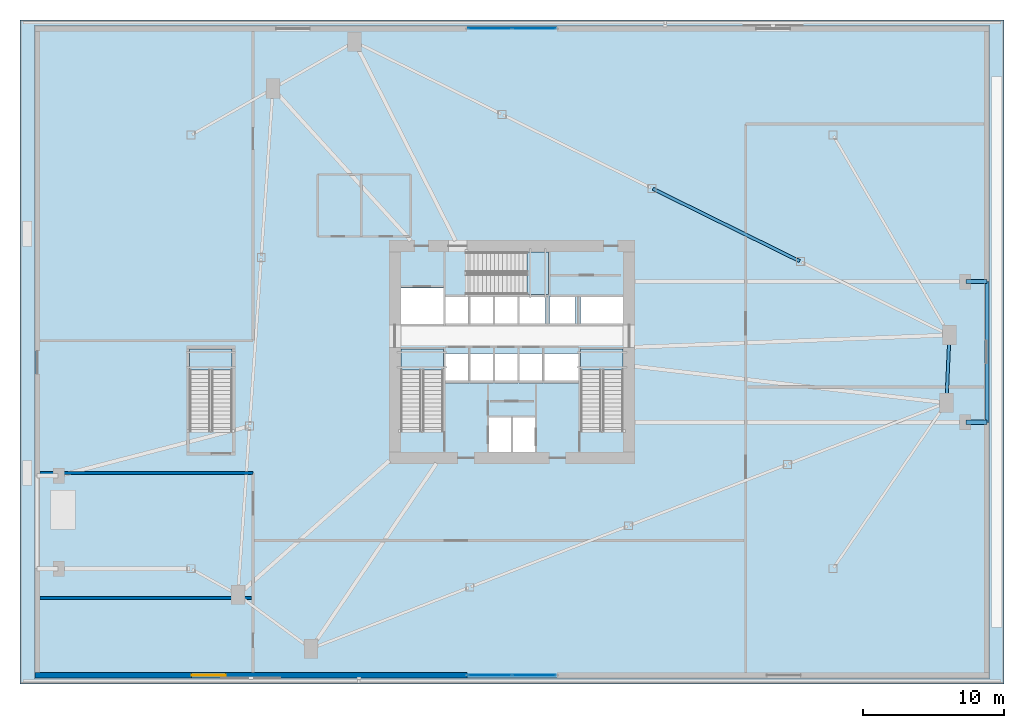
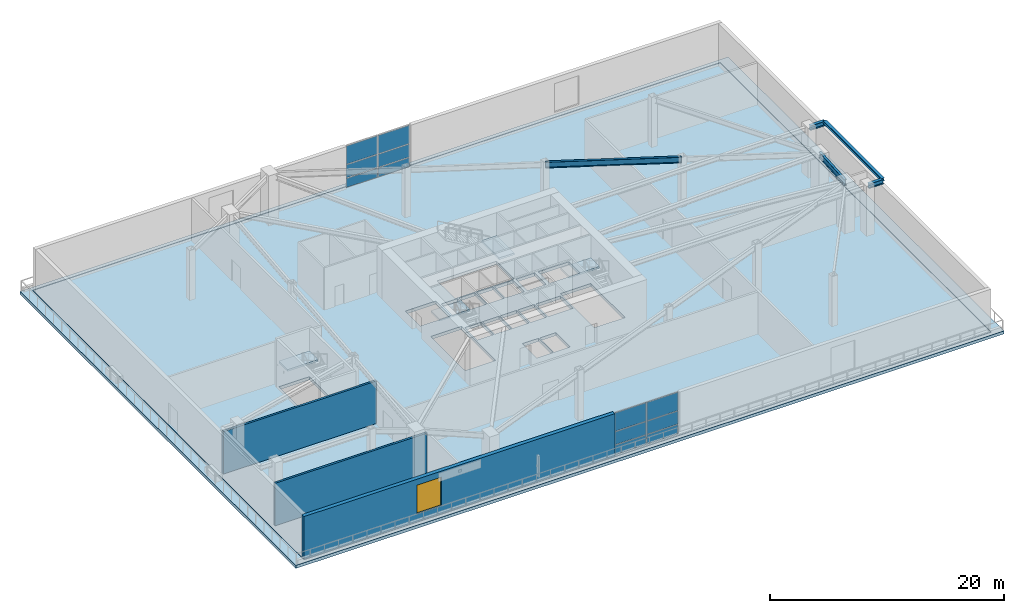
# One storey, part 7 of 15: 12 plates, 6 slabs, 5 beams, 3 walls, 1 window, 1 opening, 6 elements without a shape of their own.
"""IFC4 building model written with IfcOpenShell, lengths in metres."""

from ifc_helpers import new_model, si_unit, direction, frame, frame_2d, origin, origin_2d, place, context, subcontext, project, spatial, polyline, rectangle, i_section, outline, extrude, source, transform, mapped, material, layer, layer_set, material_profile, profile_set, type_object, type_shapes, element, fill, aggregate, save


model = new_model("IFC4")

# Units and contexts
model_context = context("Model", 3, precision=1e-05, world=origin(), true_north=direction((0.0, 1.0)))
body_context = subcontext(model_context, "Body", "Model", "MODEL_VIEW")
ifc_project = project(units=[si_unit("LENGTHUNIT", "METRE"), si_unit("AREAUNIT", "SQUARE_METRE"), si_unit("VOLUMEUNIT", "CUBIC_METRE"), si_unit("PLANEANGLEUNIT", "RADIAN"), si_unit("MASSUNIT", "GRAM", prefix="KILO")], contexts=[model_context])

# Site, building, storey
site_placement = place(None, origin())
site = spatial("IfcSite", under=ifc_project, at=site_placement, CompositionType="ELEMENT")
building_placement = place(site_placement, origin())
building = spatial("IfcBuilding", under=site, at=building_placement, Name="Olszyna Solenne Hotel", CompositionType="ELEMENT")
storey_placement = place(building_placement, frame((0.0, 0.0, 10.199951171875)))
storey = spatial("IfcBuildingStorey", under=building, at=storey_placement, Name="L02", CompositionType="ELEMENT", Elevation=10.199951171875)

# Beams
ifc_material_1 = material(Name="Steel S355J2", Category="steel")
ifc_material_profile_1 = material_profile(ifc_material_1, i_section(OverallWidth=0.300048828125, OverallDepth=0.31005859375, WebThickness=0.009033203125, FlangeThickness=0.015380859375, at=origin_2d()), Name="HEA 320", Category="load-bearing")
ifc_profile_set_1 = profile_set([ifc_material_profile_1], Name="Steel S355J2")
beam_type_1 = type_object("IfcBeamType", Name="BM-G3", PredefinedType="BEAM", material=ifc_profile_set_1)
shared_shape_1 = source(origin(), body_context, "Body", "SweptSolid", [
    extrude(i_section(OverallWidth=0.300048828125, OverallDepth=0.31005859375, WebThickness=0.009033203125, FlangeThickness=0.015380859375, at=origin_2d()), origin(), (0.0, 0.0, 1.0), 10.0),
])
beam_1_placement = place(storey_placement, frame((71.75, 21.60009765625, 4.925048828125), z_axis=(0.0, 1.0, 0.0), x_axis=(-1.0, 0.0, 0.0)))
element("IfcBeam", 1, at=beam_1_placement, inside=storey, type_object=beam_type_1, Name="Terrace East rim beam BM-G3 B-L02-0110", PredefinedType="BEAM", context=body_context, shape_type="MappedRepresentation", body=[
    mapped(shared_shape_1, transform((0.0, 0.0, 0.0), x_axis=(1.0, 0.0, 0.0), y_axis=(0.0, 1.0, 0.0), z_axis=(0.0, 0.0, 1.0), scale=1.0)),
])
ifc_material_profile_2 = material_profile(ifc_material_1, i_section(OverallWidth=0.219970703125, OverallDepth=0.60009765625, WebThickness=0.011962890625, FlangeThickness=0.01904296875, at=origin_2d()), Name="IPE 600", Category="load-bearing")
ifc_profile_set_2 = profile_set([ifc_material_profile_2], Name="Steel S355J2")
beam_type_2 = type_object("IfcBeamType", Name="BM-F1", PredefinedType="BEAM", material=ifc_profile_set_2)
shared_shape_2 = source(origin(), body_context, "Body", "SweptSolid", [
    extrude(i_section(OverallWidth=0.219970703125, OverallDepth=0.60009765625, WebThickness=0.011962890625, FlangeThickness=0.01904296875, at=origin_2d()), origin(), (0.0, 0.0, 1.0), 4.6630859375),
])
beam_2_placement = place(storey_placement, frame((68.86181640625, 23.064453125, 4.780029296875), z_axis=(0.044450544341, 0.999011586073, 0.0), x_axis=(-0.999011586073, 0.044450544341, 0.0)))
element("IfcBeam", 2, at=beam_2_placement, inside=storey, type_object=beam_type_2, Name="Podium ring girder BM-F1 B-L02-0089", PredefinedType="BEAM", context=body_context, shape_type="MappedRepresentation", body=[
    mapped(shared_shape_2, transform((0.0, 0.0, 0.0), x_axis=(1.0, 0.0, 0.0), y_axis=(0.0, 1.0, 0.0), z_axis=(0.0, 0.0, 1.0), scale=1.0)),
])
shared_shape_3 = source(origin(), body_context, "Body", "SweptSolid", [
    extrude(i_section(OverallWidth=0.219970703125, OverallDepth=0.60009765625, WebThickness=0.011962890625, FlangeThickness=0.01904296875, at=origin_2d()), origin(), (0.0, 0.0, 1.0), 11.6201171875),
])
beam_3_placement = place(storey_placement, frame((58.434814453125, 33.048095703125, 4.780029296875), z_axis=(-0.896896785097, 0.442239931352, 0.0), x_axis=(-0.442239931352, -0.896896785097, 0.0)))
element("IfcBeam", 3, at=beam_3_placement, inside=storey, type_object=beam_type_2, Name="Podium ring girder BM-F1 BRG-L02-22", PredefinedType="BEAM", context=body_context, shape_type="MappedRepresentation", body=[
    mapped(shared_shape_3, transform((0.0, 0.0, 0.0), x_axis=(1.0, 0.0, 0.0), y_axis=(0.0, 1.0, 0.0), z_axis=(0.0, 0.0, 1.0), scale=1.0)),
])
ifc_material_profile_3 = material_profile(ifc_material_1, i_section(OverallWidth=0.300048828125, OverallDepth=0.489990234375, WebThickness=0.011962890625, FlangeThickness=0.02294921875, at=origin_2d()), Name="HEA 500", Category="load-bearing")
ifc_profile_set_3 = profile_set([ifc_material_profile_3], Name="Steel S355J2")
beam_type_3 = type_object("IfcBeamType", Name="BM-G1", PredefinedType="BEAM", material=ifc_profile_set_3)
shared_shape_4 = source(origin(), body_context, "Body", "SweptSolid", [
    extrude(i_section(OverallWidth=0.300048828125, OverallDepth=0.489990234375, WebThickness=0.011962890625, FlangeThickness=0.02294921875, at=origin_2d()), origin(), (0.0, 0.0, 1.0), 1.489990234375),
])
for number, where, z_axis, x_axis, name in (
    (4, (70.260009765625, 21.60009765625, 4.8349609375), (1.0, 0.0, 0.0), (0.0, 1.0, 0.0), "Terrace East overhang girder BM-G1 B-L02-0107"),
    (5, (70.260009765625, 31.60009765625, 4.8349609375), (1.0, 0.0, 0.0), (0.0, 1.0, 0.0), "Terrace East overhang girder BM-G1 B-L02-0109"),
):
    element("IfcBeam", number, at=place(storey_placement, frame(where, z_axis=z_axis, x_axis=x_axis)), inside=storey, type_object=beam_type_3, Name=name, PredefinedType="BEAM", context=body_context, shape_type="MappedRepresentation", body=[
        mapped(shared_shape_4, transform((0.0, 0.0, 0.0), x_axis=(1.0, 0.0, 0.0), y_axis=(0.0, 1.0, 0.0), z_axis=(0.0, 0.0, 1.0), scale=1.0)),
    ])

# Stair, slab
ifc_material_2 = material(Name="Concrete C40/50", Category="concrete")
stair_type_1 = type_object("IfcStairType", Name="STR-C1", PredefinedType="TWO_QUARTER_WINDING_STAIR", material=ifc_material_2)
stair_1_placement = place(storey_placement, origin())
stair_1 = element("IfcStair", 6, at=stair_1_placement, inside=storey, type_object=stair_type_1, Name="L02 ST1", PredefinedType="TWO_QUARTER_WINDING_STAIR")
ifc_layer_1 = layer(ifc_material_2, 0.18994140625, Name="Concrete C40/50")
ifc_layer_set_1 = layer_set([ifc_layer_1], Name="Concrete C40/50")
slab_type_1 = type_object("IfcSlabType", Name="SL-LN190", PredefinedType="LANDING", material=ifc_layer_set_1)
slab_1_placement = place(storey_placement, frame((0.0, 0.0, 2.5)))
slab_1 = element("IfcSlab", 7, at=slab_1_placement, type_object=slab_type_1, Name="ST1 landing 1", PredefinedType="LANDING", context=body_context, shape_type="SweptSolid", body=[
    extrude(outline(polyline([(33.1201171875, 25.300048828125), (33.1201171875, 26.800048828125), (30.10009765625, 26.800048828125), (30.10009765625, 25.300048828125), (33.1201171875, 25.300048828125)])), origin(), (0.0, 0.0, 1.0), 0.199951171875),
])
aggregate(stair_1, [slab_1])

stair_2_placement = place(storey_placement, origin())
stair_2 = element("IfcStair", 8, at=stair_2_placement, inside=storey, type_object=stair_type_1, Name="L02 ST2", PredefinedType="TWO_QUARTER_WINDING_STAIR")
slab_2_placement = place(storey_placement, frame((0.0, 0.0, 2.5)))
slab_2 = element("IfcSlab", 9, at=slab_2_placement, type_object=slab_type_1, Name="ST2 landing 1", PredefinedType="LANDING", context=body_context, shape_type="SweptSolid", body=[
    extrude(outline(polyline([(45.89990234375, 25.300048828125), (45.89990234375, 26.800048828125), (42.8798828125, 26.800048828125), (42.8798828125, 25.300048828125), (45.89990234375, 25.300048828125)])), origin(), (0.0, 0.0, 1.0), 0.199951171875),
])
aggregate(stair_2, [slab_2])

stair_3_placement = place(storey_placement, origin())
stair_3 = element("IfcStair", 10, at=stair_3_placement, inside=storey, type_object=stair_type_1, Name="L02 ST3", PredefinedType="TWO_QUARTER_WINDING_STAIR")
slab_3_placement = place(storey_placement, frame((0.0, 0.0, 2.5)))
slab_3 = element("IfcSlab", 11, at=slab_3_placement, type_object=slab_type_1, Name="ST3 landing 1", PredefinedType="LANDING", context=body_context, shape_type="SweptSolid", body=[
    extrude(outline(polyline([(39.080078125, 30.679931640625), (40.580078125, 30.679931640625), (40.580078125, 33.699951171875), (39.080078125, 33.699951171875), (39.080078125, 30.679931640625)])), origin(), (0.0, 0.0, 1.0), 0.199951171875),
])
aggregate(stair_3, [slab_3])

stair_type_2 = type_object("IfcStairType", Name="STR-P1", PredefinedType="TWO_QUARTER_WINDING_STAIR", material=ifc_material_2)
stair_4_placement = place(storey_placement, origin())
stair_4 = element("IfcStair", 12, at=stair_4_placement, inside=storey, type_object=stair_type_2, Name="L02 ST4", PredefinedType="TWO_QUARTER_WINDING_STAIR")
slab_4_placement = place(storey_placement, frame((0.0, 0.0, 2.5)))
slab_4 = element("IfcSlab", 13, at=slab_4_placement, type_object=slab_type_1, Name="ST4 landing 1", PredefinedType="LANDING", context=body_context, shape_type="SweptSolid", body=[
    extrude(outline(polyline([(18.1201171875, 25.300048828125), (18.1201171875, 26.800048828125), (15.10009765625, 26.800048828125), (15.10009765625, 25.300048828125), (18.1201171875, 25.300048828125)])), origin(), (0.0, 0.0, 1.0), 0.199951171875),
])
aggregate(stair_4, [slab_4])

# Slabs
ifc_material_3 = material(Name="Concrete C50/60", Category="concrete")
ifc_layer_2 = layer(ifc_material_3, 0.320068359375, Name="Concrete C50/60")
ifc_layer_set_2 = layer_set([ifc_layer_2], Name="Concrete C50/60")
slab_type_2 = type_object("IfcSlabType", Name="SL-PD320", PredefinedType="FLOOR", material=ifc_layer_set_2)
slab_5_placement = place(storey_placement, frame((0.0, 0.0, -0.320068359375)))
element("IfcSlab", 14, at=slab_5_placement, inside=storey, type_object=slab_type_2, Name="Floor slab SL-PD320 SL-L02-01", PredefinedType="FLOOR", context=body_context, shape_type="SweptSolid", body=[
    extrude(outline(polyline([(4.10009765625, 3.43994140625), (71.89990234375, 3.43994140625), (71.89990234375, 49.760009765625), (4.10009765625, 49.760009765625), (4.10009765625, 3.43994140625)]), holes=[polyline([(30.10009765625, 20.949951171875), (33.1201171875, 20.949951171875), (33.1201171875, 26.800048828125), (30.10009765625, 26.800048828125), (30.10009765625, 20.949951171875)]), polyline([(42.8798828125, 20.949951171875), (45.89990234375, 20.949951171875), (45.89990234375, 26.800048828125), (42.8798828125, 26.800048828125), (42.8798828125, 20.949951171875)]), polyline([(34.72998046875, 30.679931640625), (40.580078125, 30.679931640625), (40.580078125, 33.699951171875), (34.72998046875, 33.699951171875), (34.72998046875, 30.679931640625)]), polyline([(15.10009765625, 20.949951171875), (18.1201171875, 20.949951171875), (18.1201171875, 26.800048828125), (15.10009765625, 26.800048828125), (15.10009765625, 20.949951171875)]), polyline([(36.340087890625, 19.5), (37.9599609375, 19.5), (37.9599609375, 21.9599609375), (36.340087890625, 21.9599609375), (36.340087890625, 19.5)]), polyline([(38.0400390625, 19.5), (39.659912109375, 19.5), (39.659912109375, 21.9599609375), (38.0400390625, 21.9599609375), (38.0400390625, 19.5)]), polyline([(30.10009765625, 28.60009765625), (33.1201171875, 28.60009765625), (33.1201171875, 31.159912109375), (30.10009765625, 31.159912109375), (30.10009765625, 28.60009765625)]), polyline([(33.280029296875, 24.360107421875), (34.89990234375, 24.360107421875), (34.89990234375, 26.5), (33.280029296875, 26.5), (33.280029296875, 24.360107421875)]), polyline([(35.030029296875, 24.360107421875), (36.64990234375, 24.360107421875), (36.64990234375, 26.5), (35.030029296875, 26.5), (35.030029296875, 24.360107421875)]), polyline([(36.780029296875, 24.360107421875), (38.39990234375, 24.360107421875), (38.39990234375, 26.5), (36.780029296875, 26.5), (36.780029296875, 24.360107421875)]), polyline([(38.530029296875, 24.360107421875), (40.14990234375, 24.360107421875), (40.14990234375, 26.5), (38.530029296875, 26.5), (38.530029296875, 24.360107421875)]), polyline([(40.280029296875, 24.360107421875), (42.719970703125, 24.360107421875), (42.719970703125, 26.5), (40.280029296875, 26.5), (40.280029296875, 24.360107421875)]), polyline([(33.280029296875, 28.60009765625), (34.89990234375, 28.60009765625), (34.89990234375, 30.550048828125), (33.280029296875, 30.550048828125), (33.280029296875, 28.60009765625)]), polyline([(35.030029296875, 28.60009765625), (36.64990234375, 28.60009765625), (36.64990234375, 30.550048828125), (35.030029296875, 30.550048828125), (35.030029296875, 28.60009765625)]), polyline([(36.780029296875, 28.60009765625), (38.39990234375, 28.60009765625), (38.39990234375, 30.550048828125), (36.780029296875, 30.550048828125), (36.780029296875, 28.60009765625)]), polyline([(38.530029296875, 28.60009765625), (40.389892578125, 28.60009765625), (40.389892578125, 30.550048828125), (38.530029296875, 30.550048828125), (38.530029296875, 28.60009765625)]), polyline([(40.659912109375, 28.60009765625), (42.52001953125, 28.60009765625), (42.52001953125, 30.550048828125), (40.659912109375, 30.550048828125), (40.659912109375, 28.60009765625)]), polyline([(42.8798828125, 28.60009765625), (45.89990234375, 28.60009765625), (45.89990234375, 30.550048828125), (42.8798828125, 30.550048828125), (42.8798828125, 28.60009765625)])]), origin(), (0.0, 0.0, 1.0), 0.320068359375),
])
ifc_material_4 = material(Name="Concrete C45/55", Category="concrete")
ifc_layer_3 = layer(ifc_material_4, 0.239990234375, Name="Concrete C45/55")
ifc_layer_set_3 = layer_set([ifc_layer_3], Name="Concrete C45/55")
slab_type_3 = type_object("IfcSlabType", Name="SL-TER240", PredefinedType="FLOOR", material=ifc_layer_set_3)
slab_6_placement = place(storey_placement, frame((0.0, 0.0, -0.320068359375)))
element("IfcSlab", 15, at=slab_6_placement, inside=storey, type_object=slab_type_3, Name="Cascading planted garden-terrace slab SL-L02-TER1", PredefinedType="FLOOR", context=body_context, shape_type="SweptSolid", body=[
    extrude(outline(polyline([(3.050048828125, 3.02001953125), (72.949951171875, 3.02001953125), (72.949951171875, 50.179931640625), (3.050048828125, 50.179931640625), (3.050048828125, 3.02001953125)]), holes=[polyline([(4.070068359375, 3.43701171875), (4.070556640625, 3.43408203125), (4.0712890625, 3.431396484375), (4.072265625, 3.428466796875), (4.073486328125, 3.42578125), (4.0751953125, 3.42333984375), (4.076904296875, 3.4208984375), (4.078857421875, 3.418701171875), (4.0810546875, 3.416748046875), (4.083251953125, 3.4150390625), (4.0859375, 3.41357421875), (4.08837890625, 3.412353515625), (4.09130859375, 3.411376953125), (4.093994140625, 3.41064453125), (4.09716796875, 3.41015625), (4.10009765625, 3.409912109375), (71.89990234375, 3.409912109375), (71.90283203125, 3.41015625), (71.906005859375, 3.41064453125), (71.90869140625, 3.411376953125), (71.91162109375, 3.412353515625), (71.9140625, 3.41357421875), (71.916748046875, 3.4150390625), (71.9189453125, 3.416748046875), (71.921142578125, 3.418701171875), (71.923095703125, 3.4208984375), (71.9248046875, 3.42333984375), (71.926513671875, 3.42578125), (71.927734375, 3.428466796875), (71.9287109375, 3.431396484375), (71.929443359375, 3.43408203125), (71.929931640625, 3.43701171875), (71.929931640625, 3.43994140625), (71.929931640625, 49.760009765625), (71.929931640625, 49.762939453125), (71.929443359375, 49.765869140625), (71.9287109375, 49.768798828125), (71.927734375, 49.771484375), (71.926513671875, 49.774169921875), (71.9248046875, 49.776611328125), (71.923095703125, 49.779052734375), (71.921142578125, 49.78125), (71.9189453125, 49.783203125), (71.916748046875, 49.784912109375), (71.9140625, 49.78662109375), (71.91162109375, 49.78759765625), (71.90869140625, 49.788818359375), (71.906005859375, 49.789306640625), (71.90283203125, 49.789794921875), (71.89990234375, 49.7900390625), (4.10009765625, 49.7900390625), (4.09716796875, 49.789794921875), (4.093994140625, 49.789306640625), (4.09130859375, 49.788818359375), (4.08837890625, 49.78759765625), (4.0859375, 49.78662109375), (4.083251953125, 49.784912109375), (4.0810546875, 49.783203125), (4.078857421875, 49.78125), (4.076904296875, 49.779052734375), (4.0751953125, 49.776611328125), (4.073486328125, 49.774169921875), (4.072265625, 49.771484375), (4.0712890625, 49.768798828125), (4.070556640625, 49.765869140625), (4.070068359375, 49.762939453125), (4.070068359375, 49.760009765625), (4.070068359375, 3.43994140625), (4.070068359375, 3.43701171875)])]), origin(), (0.0, 0.0, 1.0), 0.320068359375),
])

# Curtain wall, plates
ifc_material_5 = material(Name="Anodised bronze aluminium", Category="aluminium")
curtain_wall_type = type_object("IfcCurtainWallType", Name="CW-SYS-1", PredefinedType="NOTDEFINED", material=ifc_material_5)
curtain_wall_1_placement = place(storey_placement, origin())
curtain_wall_1 = element("IfcCurtainWall", 16, at=curtain_wall_1_placement, inside=storey, type_object=curtain_wall_type, Name="Unitised curtain wall CW-SYS-1 CW-L02-01", PredefinedType="NOTDEFINED")
ifc_material_6 = material(Name="Terracotta cladding", Category="masonry")
plate_type_1 = type_object("IfcPlateType", Name="PN-SP1", PredefinedType="CURTAIN_PANEL", material=ifc_material_6)
shared_shape_5 = source(origin(), body_context, "Body", "SweptSolid", [
    extrude(rectangle(XDim=3.080078125, YDim=0.048095703125, at=origin_2d()), origin(), (0.0, 0.0, 1.0), 0.9375),
])
plate_1_placement = place(storey_placement, frame((36.419921875, 3.6298828125, 0.074951171875), z_axis=(0.0, 0.0, 1.0), x_axis=(1.0, 0.0, 0.0)))
plate_1 = element("IfcPlate", 17, at=plate_1_placement, type_object=plate_type_1, Name="Curtain-wall panel PN-SP1 CP-L02-01-01", PredefinedType="CURTAIN_PANEL", context=body_context, shape_type="MappedRepresentation", body=[
    mapped(shared_shape_5, transform((0.0, 0.0, 0.0), x_axis=(1.0, 0.0, 0.0), y_axis=(0.0, 1.0, 0.0), z_axis=(0.0, 0.0, 1.0), scale=1.0)),
])
plate_2_placement = place(storey_placement, frame((39.580078125, 3.6298828125, 0.074951171875), z_axis=(0.0, 0.0, 1.0), x_axis=(1.0, 0.0, 0.0)))
plate_2 = element("IfcPlate", 18, at=plate_2_placement, type_object=plate_type_1, Name="Curtain-wall panel PN-SP1 CP-L02-01-04", PredefinedType="CURTAIN_PANEL", context=body_context, shape_type="MappedRepresentation", body=[
    mapped(shared_shape_5, transform((0.0, 0.0, 0.0), x_axis=(1.0, 0.0, 0.0), y_axis=(0.0, 1.0, 0.0), z_axis=(0.0, 0.0, 1.0), scale=1.0)),
])

curtain_wall_2_placement = place(storey_placement, origin())
curtain_wall_2 = element("IfcCurtainWall", 19, at=curtain_wall_2_placement, inside=storey, type_object=curtain_wall_type, Name="Unitised curtain wall CW-SYS-1 CW-L02-02", PredefinedType="NOTDEFINED")
plate_3_placement = place(storey_placement, frame((36.419921875, 49.570068359375, 0.074951171875), z_axis=(0.0, 0.0, 1.0), x_axis=(1.0, 0.0, 0.0)))
plate_3 = element("IfcPlate", 20, at=plate_3_placement, type_object=plate_type_1, Name="Curtain-wall panel PN-SP1 CP-L02-02-01", PredefinedType="CURTAIN_PANEL", context=body_context, shape_type="MappedRepresentation", body=[
    mapped(shared_shape_5, transform((0.0, 0.0, 0.0), x_axis=(1.0, 0.0, 0.0), y_axis=(0.0, 1.0, 0.0), z_axis=(0.0, 0.0, 1.0), scale=1.0)),
])
plate_4_placement = place(storey_placement, frame((39.580078125, 49.570068359375, 0.074951171875), z_axis=(0.0, 0.0, 1.0), x_axis=(1.0, 0.0, 0.0)))
plate_4 = element("IfcPlate", 21, at=plate_4_placement, type_object=plate_type_1, Name="Curtain-wall panel PN-SP1 CP-L02-02-04", PredefinedType="CURTAIN_PANEL", context=body_context, shape_type="MappedRepresentation", body=[
    mapped(shared_shape_5, transform((0.0, 0.0, 0.0), x_axis=(1.0, 0.0, 0.0), y_axis=(0.0, 1.0, 0.0), z_axis=(0.0, 0.0, 1.0), scale=1.0)),
])

# Plate
ifc_material_7 = material(Name="Low-E triple glazing", Category="glass")
plate_type_2 = type_object("IfcPlateType", Name="PN-GL2", PredefinedType="CURTAIN_PANEL", material=ifc_material_7)
shared_shape_6 = source(origin(), body_context, "Body", "SweptSolid", [
    extrude(rectangle(XDim=3.080078125, YDim=0.048095703125, at=origin_2d()), origin(), (0.0, 0.0, 1.0), 1.334716796875),
])
plate_5_placement = place(storey_placement, frame((36.419921875, 3.6298828125, 1.08740234375), z_axis=(0.0, 0.0, 1.0), x_axis=(1.0, 0.0, 0.0)))
plate_5 = element("IfcPlate", 22, at=plate_5_placement, type_object=plate_type_2, Name="Curtain-wall panel PN-GL2 CP-L02-01-02", PredefinedType="CURTAIN_PANEL", context=body_context, shape_type="MappedRepresentation", body=[
    mapped(shared_shape_6, transform((0.0, 0.0, 0.0), x_axis=(1.0, 0.0, 0.0), y_axis=(0.0, 1.0, 0.0), z_axis=(0.0, 0.0, 1.0), scale=1.0)),
])

plate_6_placement = place(storey_placement, frame((39.580078125, 3.6298828125, 1.08740234375), z_axis=(0.0, 0.0, 1.0), x_axis=(1.0, 0.0, 0.0)))
plate_6 = element("IfcPlate", 23, at=plate_6_placement, type_object=plate_type_2, Name="Curtain-wall panel PN-GL2 CP-L02-01-05", PredefinedType="CURTAIN_PANEL", context=body_context, shape_type="MappedRepresentation", body=[
    mapped(shared_shape_6, transform((0.0, 0.0, 0.0), x_axis=(1.0, 0.0, 0.0), y_axis=(0.0, 1.0, 0.0), z_axis=(0.0, 0.0, 1.0), scale=1.0)),
])

plate_7_placement = place(storey_placement, frame((36.419921875, 49.570068359375, 1.08740234375), z_axis=(0.0, 0.0, 1.0), x_axis=(1.0, 0.0, 0.0)))
plate_7 = element("IfcPlate", 24, at=plate_7_placement, type_object=plate_type_2, Name="Curtain-wall panel PN-GL2 CP-L02-02-02", PredefinedType="CURTAIN_PANEL", context=body_context, shape_type="MappedRepresentation", body=[
    mapped(shared_shape_6, transform((0.0, 0.0, 0.0), x_axis=(1.0, 0.0, 0.0), y_axis=(0.0, 1.0, 0.0), z_axis=(0.0, 0.0, 1.0), scale=1.0)),
])

plate_8_placement = place(storey_placement, frame((39.580078125, 49.570068359375, 1.08740234375), z_axis=(0.0, 0.0, 1.0), x_axis=(1.0, 0.0, 0.0)))
plate_8 = element("IfcPlate", 25, at=plate_8_placement, type_object=plate_type_2, Name="Curtain-wall panel PN-GL2 CP-L02-02-05", PredefinedType="CURTAIN_PANEL", context=body_context, shape_type="MappedRepresentation", body=[
    mapped(shared_shape_6, transform((0.0, 0.0, 0.0), x_axis=(1.0, 0.0, 0.0), y_axis=(0.0, 1.0, 0.0), z_axis=(0.0, 0.0, 1.0), scale=1.0)),
])

shared_shape_7 = source(origin(), body_context, "Body", "SweptSolid", [
    extrude(rectangle(XDim=3.080078125, YDim=0.048095703125, at=origin_2d()), origin(), (0.0, 0.0, 1.0), 1.89990234375),
])
plate_9_placement = place(storey_placement, frame((36.419921875, 3.6298828125, 2.4970703125), z_axis=(0.0, 0.0, 1.0), x_axis=(1.0, 0.0, 0.0)))
plate_9 = element("IfcPlate", 26, at=plate_9_placement, type_object=plate_type_2, Name="Curtain-wall panel PN-GL2 CP-L02-01-03", PredefinedType="CURTAIN_PANEL", context=body_context, shape_type="MappedRepresentation", body=[
    mapped(shared_shape_7, transform((0.0, 0.0, 0.0), x_axis=(1.0, 0.0, 0.0), y_axis=(0.0, 1.0, 0.0), z_axis=(0.0, 0.0, 1.0), scale=1.0)),
])

plate_10_placement = place(storey_placement, frame((39.580078125, 3.6298828125, 2.4970703125), z_axis=(0.0, 0.0, 1.0), x_axis=(1.0, 0.0, 0.0)))
plate_10 = element("IfcPlate", 27, at=plate_10_placement, type_object=plate_type_2, Name="Curtain-wall panel PN-GL2 CP-L02-01-06", PredefinedType="CURTAIN_PANEL", context=body_context, shape_type="MappedRepresentation", body=[
    mapped(shared_shape_7, transform((0.0, 0.0, 0.0), x_axis=(1.0, 0.0, 0.0), y_axis=(0.0, 1.0, 0.0), z_axis=(0.0, 0.0, 1.0), scale=1.0)),
])

aggregate(curtain_wall_1, [plate_1, plate_5, plate_9, plate_2, plate_6, plate_10])

plate_11_placement = place(storey_placement, frame((36.419921875, 49.570068359375, 2.4970703125), z_axis=(0.0, 0.0, 1.0), x_axis=(1.0, 0.0, 0.0)))
plate_11 = element("IfcPlate", 28, at=plate_11_placement, type_object=plate_type_2, Name="Curtain-wall panel PN-GL2 CP-L02-02-03", PredefinedType="CURTAIN_PANEL", context=body_context, shape_type="MappedRepresentation", body=[
    mapped(shared_shape_7, transform((0.0, 0.0, 0.0), x_axis=(1.0, 0.0, 0.0), y_axis=(0.0, 1.0, 0.0), z_axis=(0.0, 0.0, 1.0), scale=1.0)),
])

plate_12_placement = place(storey_placement, frame((39.580078125, 49.570068359375, 2.4970703125), z_axis=(0.0, 0.0, 1.0), x_axis=(1.0, 0.0, 0.0)))
plate_12 = element("IfcPlate", 29, at=plate_12_placement, type_object=plate_type_2, Name="Curtain-wall panel PN-GL2 CP-L02-02-06", PredefinedType="CURTAIN_PANEL", context=body_context, shape_type="MappedRepresentation", body=[
    mapped(shared_shape_7, transform((0.0, 0.0, 0.0), x_axis=(1.0, 0.0, 0.0), y_axis=(0.0, 1.0, 0.0), z_axis=(0.0, 0.0, 1.0), scale=1.0)),
])

aggregate(curtain_wall_2, [plate_3, plate_7, plate_11, plate_4, plate_8, plate_12])

# Wall, opening, window
ifc_material_8 = material(Name="Terracotta cladding on precast concrete C45/55", Category="masonry")
ifc_layer_4 = layer(ifc_material_8, 0.3798828125, Name="Terracotta cladding on precast concrete C45/55")
ifc_layer_set_4 = layer_set([ifc_layer_4], Name="Terracotta cladding on precast concrete C45/55")
wall_type_1 = type_object("IfcWallType", Name="WL-EX380", PredefinedType="SOLIDWALL", material=ifc_layer_set_4)
wall_1_placement = place(storey_placement, frame((34.800048828125, 3.6298828125, 0.0), z_axis=(0.0, 0.0, 1.0), x_axis=(-1.0, 0.0, 0.0)))
wall_1 = element("IfcWall", 30, at=wall_1_placement, inside=storey, type_object=wall_type_1, Name="Podium terracotta-precast exterior wall EW-L02-SW", PredefinedType="SOLIDWALL", context=body_context, shape_type="SweptSolid", body=[
    extrude(rectangle(XDim=30.699951171875, YDim=0.3798828125, at=frame_2d((15.35009765625, 0.0))), origin(), (0.0, 0.0, 1.0), 4.47216796875),
])
opening_placement = place(wall_1_placement, frame((17.14990234375, 0.0, 0.85009765625)))
opening = element("IfcOpeningElement", 31, at=opening_placement, cuts=wall_1, Name="Opening WN-L02-010", PredefinedType="OPENING", context=body_context, shape_type="SweptSolid", body=[
    extrude(rectangle(XDim=2.39990234375, YDim=3.0, at=frame_2d((1.199951171875, 1.5))), frame((0.0, 0.199951171875, 0.0), z_axis=(0.0, -1.0, 0.0), x_axis=(1.0, 0.0, 0.0)), (0.0, 0.0, 1.0), 0.39990234375),
])
window_type = type_object("IfcWindowType", Name="WN-PD1", PartitioningType="SINGLE_PANEL", PredefinedType="WINDOW", material=ifc_material_7)
shared_shape_8 = source(origin(), body_context, "Body", "SweptSolid", [
    extrude(rectangle(XDim=2.39990234375, YDim=3.0, at=frame_2d((1.199951171875, 1.5))), frame((0.0, 0.030029296875, 0.0), z_axis=(0.0, -1.0, 0.0), x_axis=(1.0, 0.0, 0.0)), (0.0, 0.0, 1.0), 0.06005859375),
])
type_shapes(window_type, [shared_shape_8])
window_placement = place(opening_placement, origin())
window = element("IfcWindow", 32, at=window_placement, inside=storey, type_object=window_type, Name="Podium triple-glazed window WN-PD1 WN-L02-010", OverallHeight=3.0, OverallWidth=2.39990234375, PartitioningType="SINGLE_PANEL", PredefinedType="WINDOW", context=body_context, shape_type="MappedRepresentation", body=[
    mapped(shared_shape_8, transform((0.0, 0.0, 0.0), x_axis=(1.0, 0.0, 0.0), y_axis=(0.0, 1.0, 0.0), z_axis=(0.0, 0.0, 1.0), scale=1.0)),
])
fill(opening, window)

# Walls
ifc_material_9 = material(Name="Acoustic gypsum partition", Category="gypsum")
ifc_layer_5 = layer(ifc_material_9, 0.199951171875, Name="Acoustic gypsum partition")
ifc_layer_set_5 = layer_set([ifc_layer_5], Name="Acoustic gypsum partition")
wall_type_2 = type_object("IfcWallType", Name="WL-PT200", PredefinedType="PARTITIONING", material=ifc_layer_set_5)
wall_2_placement = place(storey_placement, frame((4.47998046875, 9.1201171875, 0.0), z_axis=(0.0, 0.0, 1.0), x_axis=(1.0, 0.0, 0.0)))
element("IfcWall", 33, at=wall_2_placement, inside=storey, type_object=wall_type_2, Name="Interior acoustic partition WL-PT200 PW-L02-0182", PredefinedType="PARTITIONING", context=body_context, shape_type="SweptSolid", body=[
    extrude(rectangle(XDim=15.0, YDim=0.199951171875, at=frame_2d((7.5, 0.0))), origin(), (0.0, 0.0, 1.0), 4.429931640625),
])
wall_3_placement = place(storey_placement, frame((4.47998046875, 18.0, 0.0), z_axis=(0.0, 0.0, 1.0), x_axis=(1.0, 0.0, 0.0)))
element("IfcWall", 34, at=wall_3_placement, inside=storey, type_object=wall_type_2, Name="Interior acoustic partition WL-PT200 PW-L02-0183", PredefinedType="PARTITIONING", context=body_context, shape_type="SweptSolid", body=[
    extrude(rectangle(XDim=15.1201171875, YDim=0.199951171875, at=frame_2d((7.56005859375, 0.0))), origin(), (0.0, 0.0, 1.0), 4.429931640625),
])

save(model, "model.ifc")
